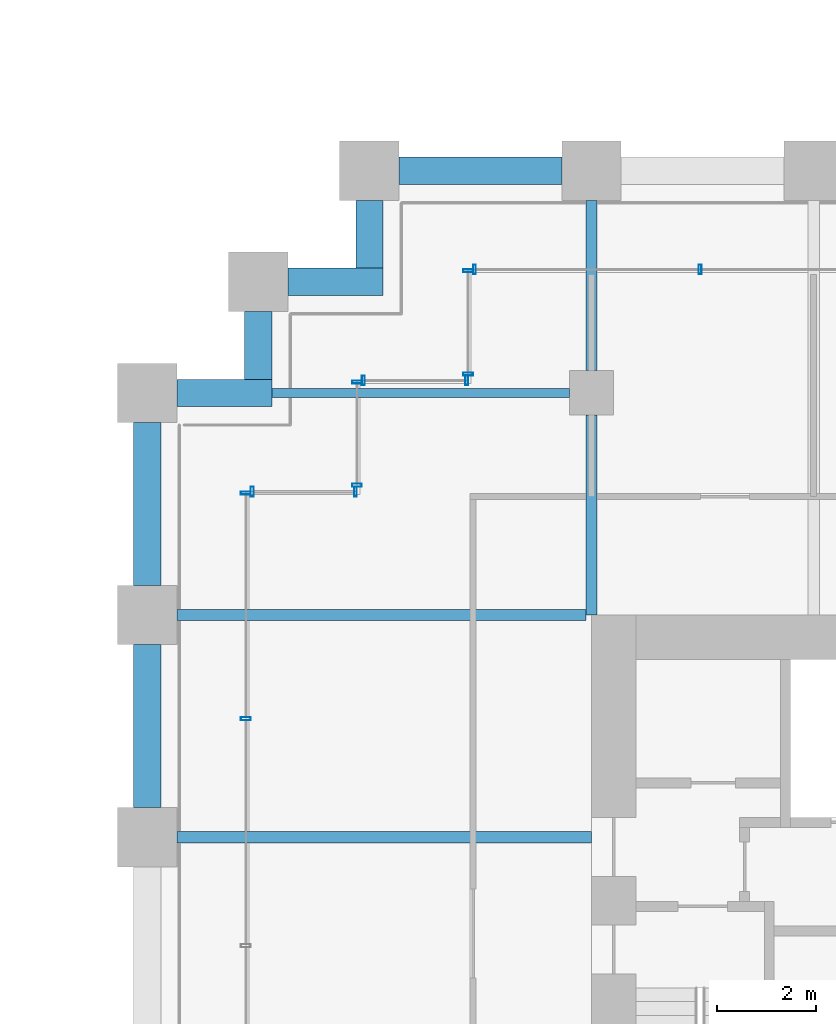
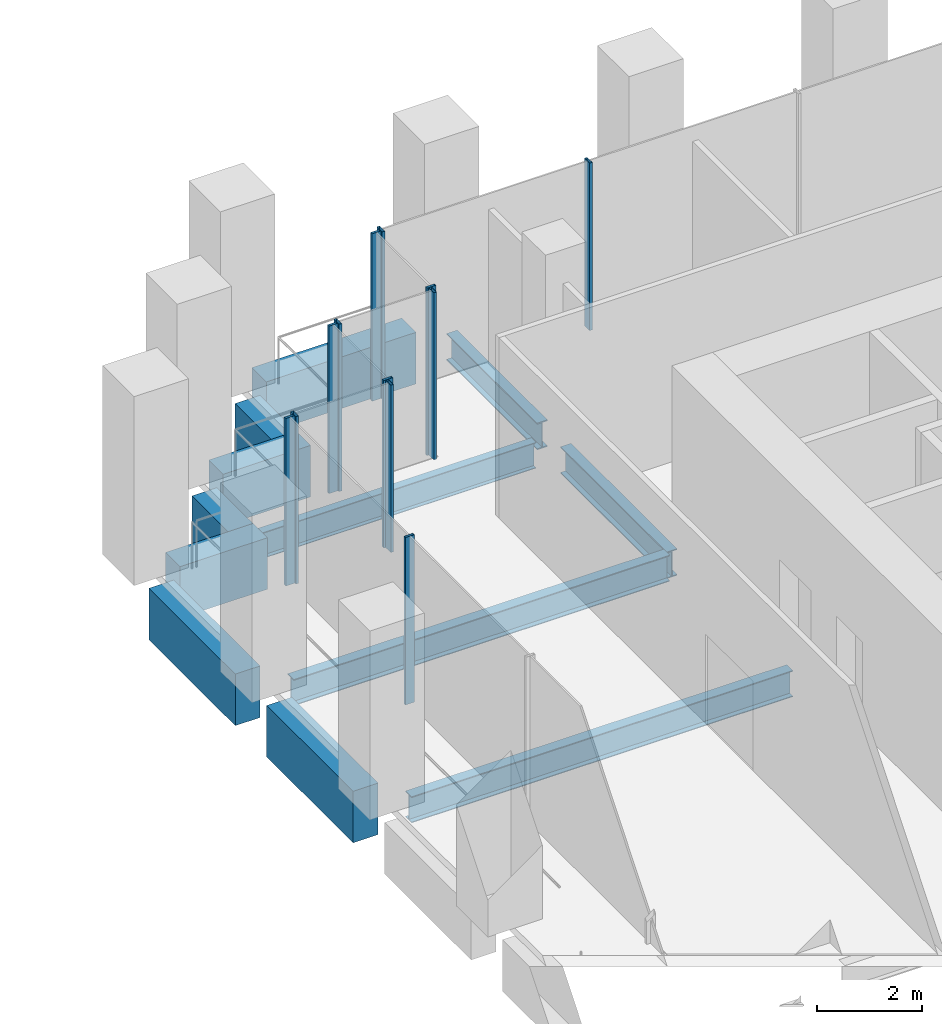
# One storey, part 23 of 36: 12 beams, 12 members, 6 elements without a shape of their own.
"""IFC4 building model written with IfcOpenShell, lengths in metres."""

from ifc_helpers import new_model, si_unit, direction, frame, origin, origin_2d, place, context, subcontext, project, spatial, rectangle, hollow_rectangle, i_section, extrude, material, material_profile, profile_set, type_object, element, aggregate, save


model = new_model("IFC4")

# Units and contexts
model_context = context("Model", 3, precision=1e-05, world=origin(), true_north=direction((0.0, 1.0)))
body_context = subcontext(model_context, "Body", "Model", "MODEL_VIEW")
ifc_project = project(units=[si_unit("LENGTHUNIT", "METRE"), si_unit("AREAUNIT", "SQUARE_METRE"), si_unit("VOLUMEUNIT", "CUBIC_METRE"), si_unit("PLANEANGLEUNIT", "RADIAN"), si_unit("MASSUNIT", "GRAM", prefix="KILO")], contexts=[model_context])

# Site, building, storey
site_placement = place(None, origin())
site = spatial("IfcSite", under=ifc_project, at=site_placement, CompositionType="ELEMENT")
building_placement = place(site_placement, origin())
building = spatial("IfcBuilding", under=site, at=building_placement, Name="Altepetl Exchange Towers", CompositionType="ELEMENT")
storey_placement = place(building_placement, frame((0.0, 0.0, 25.39990234375)))
storey = spatial("IfcBuildingStorey", under=building, at=storey_placement, Name="L05", CompositionType="ELEMENT", Elevation=25.39990234375)

# Beams
ifc_material_1 = material(Name="Steel S355", Category="steel")
ifc_material_profile_1 = material_profile(ifc_material_1, i_section(OverallWidth=0.178955078125, OverallDepth=0.60302734375, WebThickness=0.010986328125, FlangeThickness=0.014892578125, at=origin_2d()), Name="W24X62")
ifc_profile_set_1 = profile_set([ifc_material_profile_1], Name="Steel S355")
beam_type_1 = type_object("IfcBeamType", Name="Floor beam W24X62", PredefinedType="BEAM", material=ifc_profile_set_1)
beam_1_placement = place(storey_placement, frame((97.02490234375, 54.0, -0.476318359375), z_axis=(1.0, 0.0, 0.0), x_axis=(0.0, 1.0, 0.0)))
element("IfcBeam", 1, at=beam_1_placement, inside=storey, type_object=beam_type_1, Name="bm:B:L05:015", PredefinedType="BEAM", context=body_context, shape_type="SweptSolid", body=[
    extrude(i_section(OverallWidth=0.178955078125, OverallDepth=0.60302734375, WebThickness=0.010986328125, FlangeThickness=0.014892578125, at=origin_2d()), origin(), (0.0, 0.0, 1.0), 6.025146484375),
])
ifc_material_profile_2 = material_profile(ifc_material_1, i_section(OverallWidth=0.22900390625, OverallDepth=0.612060546875, WebThickness=0.011962890625, FlangeThickness=0.01953125, at=origin_2d()), Name="W24X84")
ifc_profile_set_2 = profile_set([ifc_material_profile_2], Name="Steel S355")
beam_type_2 = type_object("IfcBeamType", Name="Floor beam W24X84", PredefinedType="BEAM", material=ifc_profile_set_2)
beam_2_placement = place(storey_placement, frame((95.10009765625, 45.0, -0.48095703125), z_axis=(1.0, 0.0, 0.0), x_axis=(0.0, 1.0, 0.0)))
element("IfcBeam", 2, at=beam_2_placement, inside=storey, type_object=beam_type_2, Name="bm:B:L05:013", PredefinedType="BEAM", context=body_context, shape_type="SweptSolid", body=[
    extrude(i_section(OverallWidth=0.22900390625, OverallDepth=0.612060546875, WebThickness=0.011962890625, FlangeThickness=0.01953125, at=origin_2d()), origin(), (0.0, 0.0, 1.0), 8.39990234375),
])
beam_3_placement = place(storey_placement, frame((95.10009765625, 49.5, -0.48095703125), z_axis=(1.0, 0.0, 0.0), x_axis=(0.0, 1.0, 0.0)))
element("IfcBeam", 3, at=beam_3_placement, inside=storey, type_object=beam_type_2, Name="bm:B:L05:014", PredefinedType="BEAM", context=body_context, shape_type="SweptSolid", body=[
    extrude(i_section(OverallWidth=0.22900390625, OverallDepth=0.612060546875, WebThickness=0.011962890625, FlangeThickness=0.01953125, at=origin_2d()), origin(), (0.0, 0.0, 1.0), 8.284912109375),
])
ifc_material_profile_3 = material_profile(ifc_material_1, i_section(OverallWidth=0.22900390625, OverallDepth=0.623046875, WebThickness=0.013916015625, FlangeThickness=0.02490234375, at=origin_2d()), Name="W24X103")
ifc_profile_set_3 = profile_set([ifc_material_profile_3], Name="Steel S355")
beam_type_3 = type_object("IfcBeamType", Name="Girder W24X103", PredefinedType="BEAM", material=ifc_profile_set_3)
beam_4_placement = place(storey_placement, frame((103.5, 57.89990234375, -0.486328125), z_axis=(0.0, -1.0, 0.0), x_axis=(1.0, 0.0, 0.0)))
element("IfcBeam", 4, at=beam_4_placement, inside=storey, type_object=beam_type_3, Name="gd:B:L05:002", PredefinedType="BEAM", context=body_context, shape_type="SweptSolid", body=[
    extrude(i_section(OverallWidth=0.22900390625, OverallDepth=0.623046875, WebThickness=0.013916015625, FlangeThickness=0.02490234375, at=origin_2d()), origin(), (0.0, 0.0, 1.0), 3.449951171875),
])
beam_5_placement = place(storey_placement, frame((103.5, 53.550048828125, -0.486328125), z_axis=(0.0, -1.0, 0.0), x_axis=(1.0, 0.0, 0.0)))
element("IfcBeam", 5, at=beam_5_placement, inside=storey, type_object=beam_type_3, Name="gd:B:L05:003", PredefinedType="BEAM", context=body_context, shape_type="SweptSolid", body=[
    extrude(i_section(OverallWidth=0.22900390625, OverallDepth=0.623046875, WebThickness=0.013916015625, FlangeThickness=0.02490234375, at=origin_2d()), origin(), (0.0, 0.0, 1.0), 4.050048828125),
])

# Curtain wall, members
ifc_material_2 = material(Name="Aluminium 6063-T6 glazing", Category="aluminium")
curtain_wall_type = type_object("IfcCurtainWallType", Name="Trading floor glazing system", PredefinedType="NOTDEFINED", material=ifc_material_2)
curtain_wall_1_placement = place(storey_placement, origin())
curtain_wall_1 = element("IfcCurtainWall", 6, at=curtain_wall_1_placement, inside=storey, type_object=curtain_wall_type, Name="CW2 run", PredefinedType="NOTDEFINED")
ifc_material_3 = material(Name="Aluminium 6063-T6", Category="aluminium")
ifc_material_profile_4 = material_profile(ifc_material_3, hollow_rectangle(XDim=0.06005859375, YDim=0.199951171875, WallThickness=0.0029296875, at=origin_2d()), Name="Mullion 60x200 aluminium")
ifc_profile_set_4 = profile_set([ifc_material_profile_4], Name="Aluminium 6063-T6")
member_type = type_object("IfcMemberType", Name="Mullion 60x200 aluminium", PredefinedType="MULLION", material=ifc_profile_set_4)
member_1_placement = place(storey_placement, frame((98.719970703125, 52.0, 0.0), z_axis=(0.0, 0.0, 1.0), x_axis=(-1.0, 0.0, 0.0)))
member_1 = element("IfcMember", 7, at=member_1_placement, type_object=member_type, Name="MU2 mullion", PredefinedType="MULLION", context=body_context, shape_type="SweptSolid", body=[
    extrude(hollow_rectangle(XDim=0.06005859375, YDim=0.199951171875, WallThickness=0.0029296875, at=origin_2d()), origin(), (0.0, 0.0, 1.0), 3.900146484375),
])
member_2_placement = place(storey_placement, frame((96.6298828125, 52.0, 0.0), z_axis=(0.0, 0.0, 1.0), x_axis=(-1.0, 0.0, 0.0)))
member_2 = element("IfcMember", 8, at=member_2_placement, type_object=member_type, Name="MU2 mullion", PredefinedType="MULLION", context=body_context, shape_type="SweptSolid", body=[
    extrude(hollow_rectangle(XDim=0.06005859375, YDim=0.199951171875, WallThickness=0.0029296875, at=origin_2d()), origin(), (0.0, 0.0, 1.0), 3.900146484375),
])
aggregate(curtain_wall_1, [member_1, member_2])

curtain_wall_2_placement = place(storey_placement, origin())
curtain_wall_2 = element("IfcCurtainWall", 9, at=curtain_wall_2_placement, inside=storey, type_object=curtain_wall_type, Name="CW2 run", PredefinedType="NOTDEFINED")
member_3_placement = place(storey_placement, frame((96.5, 51.969970703125, 0.0), z_axis=(0.0, 0.0, 1.0), x_axis=(0.0, -1.0, 0.0)))
member_3 = element("IfcMember", 10, at=member_3_placement, type_object=member_type, Name="MU2 mullion", PredefinedType="MULLION", context=body_context, shape_type="SweptSolid", body=[
    extrude(hollow_rectangle(XDim=0.06005859375, YDim=0.199951171875, WallThickness=0.0029296875, at=origin_2d()), origin(), (0.0, 0.0, 1.0), 3.900146484375),
])
member_4_placement = place(storey_placement, frame((96.5, 47.39990234375, 0.0), z_axis=(0.0, 0.0, 1.0), x_axis=(0.0, -1.0, 0.0)))
member_4 = element("IfcMember", 11, at=member_4_placement, type_object=member_type, Name="MU2 mullion", PredefinedType="MULLION", context=body_context, shape_type="SweptSolid", body=[
    extrude(hollow_rectangle(XDim=0.06005859375, YDim=0.199951171875, WallThickness=0.0029296875, at=origin_2d()), origin(), (0.0, 0.0, 1.0), 3.900146484375),
])
aggregate(curtain_wall_2, [member_3, member_4])

curtain_wall_3_placement = place(storey_placement, origin())
curtain_wall_3 = element("IfcCurtainWall", 12, at=curtain_wall_3_placement, inside=storey, type_object=curtain_wall_type, Name="CW2 run", PredefinedType="NOTDEFINED")
member_5_placement = place(storey_placement, frame((105.699951171875, 56.5, 0.0), z_axis=(0.0, 0.0, 1.0), x_axis=(-1.0, 0.0, 0.0)))
member_5 = element("IfcMember", 13, at=member_5_placement, type_object=member_type, Name="MU2 mullion", PredefinedType="MULLION", context=body_context, shape_type="SweptSolid", body=[
    extrude(hollow_rectangle(XDim=0.06005859375, YDim=0.199951171875, WallThickness=0.0029296875, at=origin_2d()), origin(), (0.0, 0.0, 1.0), 3.900146484375),
])
member_6_placement = place(storey_placement, frame((101.1298828125, 56.5, 0.0), z_axis=(0.0, 0.0, 1.0), x_axis=(-1.0, 0.0, 0.0)))
member_6 = element("IfcMember", 14, at=member_6_placement, type_object=member_type, Name="MU2 mullion", PredefinedType="MULLION", context=body_context, shape_type="SweptSolid", body=[
    extrude(hollow_rectangle(XDim=0.06005859375, YDim=0.199951171875, WallThickness=0.0029296875, at=origin_2d()), origin(), (0.0, 0.0, 1.0), 3.900146484375),
])
aggregate(curtain_wall_3, [member_5, member_6])

curtain_wall_4_placement = place(storey_placement, origin())
curtain_wall_4 = element("IfcCurtainWall", 15, at=curtain_wall_4_placement, inside=storey, type_object=curtain_wall_type, Name="CW2 run", PredefinedType="NOTDEFINED")
member_7_placement = place(storey_placement, frame((101.0, 56.469970703125, 0.0), z_axis=(0.0, 0.0, 1.0), x_axis=(0.0, -1.0, 0.0)))
member_7 = element("IfcMember", 16, at=member_7_placement, type_object=member_type, Name="MU2 mullion", PredefinedType="MULLION", context=body_context, shape_type="SweptSolid", body=[
    extrude(hollow_rectangle(XDim=0.06005859375, YDim=0.199951171875, WallThickness=0.0029296875, at=origin_2d()), origin(), (0.0, 0.0, 1.0), 3.900146484375),
])
member_8_placement = place(storey_placement, frame((101.0, 54.3798828125, 0.0), z_axis=(0.0, 0.0, 1.0), x_axis=(0.0, -1.0, 0.0)))
member_8 = element("IfcMember", 17, at=member_8_placement, type_object=member_type, Name="MU2 mullion", PredefinedType="MULLION", context=body_context, shape_type="SweptSolid", body=[
    extrude(hollow_rectangle(XDim=0.06005859375, YDim=0.199951171875, WallThickness=0.0029296875, at=origin_2d()), origin(), (0.0, 0.0, 1.0), 3.900146484375),
])
aggregate(curtain_wall_4, [member_7, member_8])

curtain_wall_5_placement = place(storey_placement, origin())
curtain_wall_5 = element("IfcCurtainWall", 18, at=curtain_wall_5_placement, inside=storey, type_object=curtain_wall_type, Name="CW2 run", PredefinedType="NOTDEFINED")
member_9_placement = place(storey_placement, frame((100.969970703125, 54.25, 0.0), z_axis=(0.0, 0.0, 1.0), x_axis=(-1.0, 0.0, 0.0)))
member_9 = element("IfcMember", 19, at=member_9_placement, type_object=member_type, Name="MU2 mullion", PredefinedType="MULLION", context=body_context, shape_type="SweptSolid", body=[
    extrude(hollow_rectangle(XDim=0.06005859375, YDim=0.199951171875, WallThickness=0.0029296875, at=origin_2d()), origin(), (0.0, 0.0, 1.0), 3.900146484375),
])
member_10_placement = place(storey_placement, frame((98.8798828125, 54.25, 0.0), z_axis=(0.0, 0.0, 1.0), x_axis=(-1.0, 0.0, 0.0)))
member_10 = element("IfcMember", 20, at=member_10_placement, type_object=member_type, Name="MU2 mullion", PredefinedType="MULLION", context=body_context, shape_type="SweptSolid", body=[
    extrude(hollow_rectangle(XDim=0.06005859375, YDim=0.199951171875, WallThickness=0.0029296875, at=origin_2d()), origin(), (0.0, 0.0, 1.0), 3.900146484375),
])
aggregate(curtain_wall_5, [member_9, member_10])

curtain_wall_6_placement = place(storey_placement, origin())
curtain_wall_6 = element("IfcCurtainWall", 21, at=curtain_wall_6_placement, inside=storey, type_object=curtain_wall_type, Name="CW2 run", PredefinedType="NOTDEFINED")
member_11_placement = place(storey_placement, frame((98.75, 54.219970703125, 0.0), z_axis=(0.0, 0.0, 1.0), x_axis=(0.0, -1.0, 0.0)))
member_11 = element("IfcMember", 22, at=member_11_placement, type_object=member_type, Name="MU2 mullion", PredefinedType="MULLION", context=body_context, shape_type="SweptSolid", body=[
    extrude(hollow_rectangle(XDim=0.06005859375, YDim=0.199951171875, WallThickness=0.0029296875, at=origin_2d()), origin(), (0.0, 0.0, 1.0), 3.900146484375),
])
member_12_placement = place(storey_placement, frame((98.75, 52.1298828125, 0.0), z_axis=(0.0, 0.0, 1.0), x_axis=(0.0, -1.0, 0.0)))
member_12 = element("IfcMember", 23, at=member_12_placement, type_object=member_type, Name="MU2 mullion", PredefinedType="MULLION", context=body_context, shape_type="SweptSolid", body=[
    extrude(hollow_rectangle(XDim=0.06005859375, YDim=0.199951171875, WallThickness=0.0029296875, at=origin_2d()), origin(), (0.0, 0.0, 1.0), 3.900146484375),
])
aggregate(curtain_wall_6, [member_11, member_12])

# Beams
ifc_material_4 = material(Name="Concrete C50/60 precast with cantera rosa facing", Category="concrete")
ifc_material_profile_5 = material_profile(ifc_material_4, rectangle(XDim=0.550048828125, YDim=1.199951171875, at=origin_2d()), Name="550 x 1200")
ifc_profile_set_5 = profile_set([ifc_material_profile_5], Name="Concrete C50/60 precast with cantera rosa facing")
beam_type_4 = type_object("IfcBeamType", Name="Spandrel beam 550x1200 cantera rosa", PredefinedType="SPANDREL", material=ifc_profile_set_5)
beam_6_placement = place(storey_placement, frame((102.89990234375, 58.5, -0.77490234375), z_axis=(-1.0, 0.0, 0.0), x_axis=(0.0, -1.0, 0.0)))
element("IfcBeam", 24, at=beam_6_placement, inside=storey, type_object=beam_type_4, Name="sp:B:L05:022", PredefinedType="SPANDREL", context=body_context, shape_type="SweptSolid", body=[
    extrude(rectangle(XDim=0.550048828125, YDim=1.199951171875, at=origin_2d()), origin(), (0.0, 0.0, 1.0), 3.2998046875),
])
beam_7_placement = place(storey_placement, frame((99.0, 57.89990234375, -0.77490234375), z_axis=(0.0, -1.0, 0.0), x_axis=(1.0, 0.0, 0.0)))
element("IfcBeam", 25, at=beam_7_placement, inside=storey, type_object=beam_type_4, Name="sp:B:L05:023", PredefinedType="SPANDREL", context=body_context, shape_type="SweptSolid", body=[
    extrude(rectangle(XDim=0.550048828125, YDim=1.199951171875, at=origin_2d()), origin(), (0.0, 0.0, 1.0), 1.375),
])
beam_8_placement = place(storey_placement, frame((99.27490234375, 56.25, -0.77490234375), z_axis=(-1.0, 0.0, 0.0), x_axis=(0.0, -1.0, 0.0)))
element("IfcBeam", 26, at=beam_8_placement, inside=storey, type_object=beam_type_4, Name="sp:B:L05:024", PredefinedType="SPANDREL", context=body_context, shape_type="SweptSolid", body=[
    extrude(rectangle(XDim=0.550048828125, YDim=1.199951171875, at=origin_2d()), origin(), (0.0, 0.0, 1.0), 1.9248046875),
])
beam_9_placement = place(storey_placement, frame((96.75, 55.64990234375, -0.77490234375), z_axis=(0.0, -1.0, 0.0), x_axis=(1.0, 0.0, 0.0)))
element("IfcBeam", 27, at=beam_9_placement, inside=storey, type_object=beam_type_4, Name="sp:B:L05:025", PredefinedType="SPANDREL", context=body_context, shape_type="SweptSolid", body=[
    extrude(rectangle(XDim=0.550048828125, YDim=1.199951171875, at=origin_2d()), origin(), (0.0, 0.0, 1.0), 1.375),
])
beam_10_placement = place(storey_placement, frame((97.02490234375, 54.0, -0.77490234375), z_axis=(-1.0, 0.0, 0.0), x_axis=(0.0, -1.0, 0.0)))
element("IfcBeam", 28, at=beam_10_placement, inside=storey, type_object=beam_type_4, Name="sp:B:L05:026", PredefinedType="SPANDREL", context=body_context, shape_type="SweptSolid", body=[
    extrude(rectangle(XDim=0.550048828125, YDim=1.199951171875, at=origin_2d()), origin(), (0.0, 0.0, 1.0), 1.9248046875),
])
for number, where, z_axis, x_axis, name in (
    (29, (94.5, 53.39990234375, -0.77490234375), (0.0, -1.0, 0.0), (1.0, 0.0, 0.0), "sp:B:L05:027"),
    (30, (94.5, 48.89990234375, -0.77490234375), (0.0, -1.0, 0.0), (1.0, 0.0, 0.0), "sp:B:L05:028"),
):
    element("IfcBeam", number, at=place(storey_placement, frame(where, z_axis=z_axis, x_axis=x_axis)), inside=storey, type_object=beam_type_4, Name=name, PredefinedType="SPANDREL", context=body_context, shape_type="SweptSolid", body=[
        extrude(rectangle(XDim=0.550048828125, YDim=1.199951171875, at=origin_2d()), origin(), (0.0, 0.0, 1.0), 3.2998046875),
    ])

save(model, "model.ifc")
